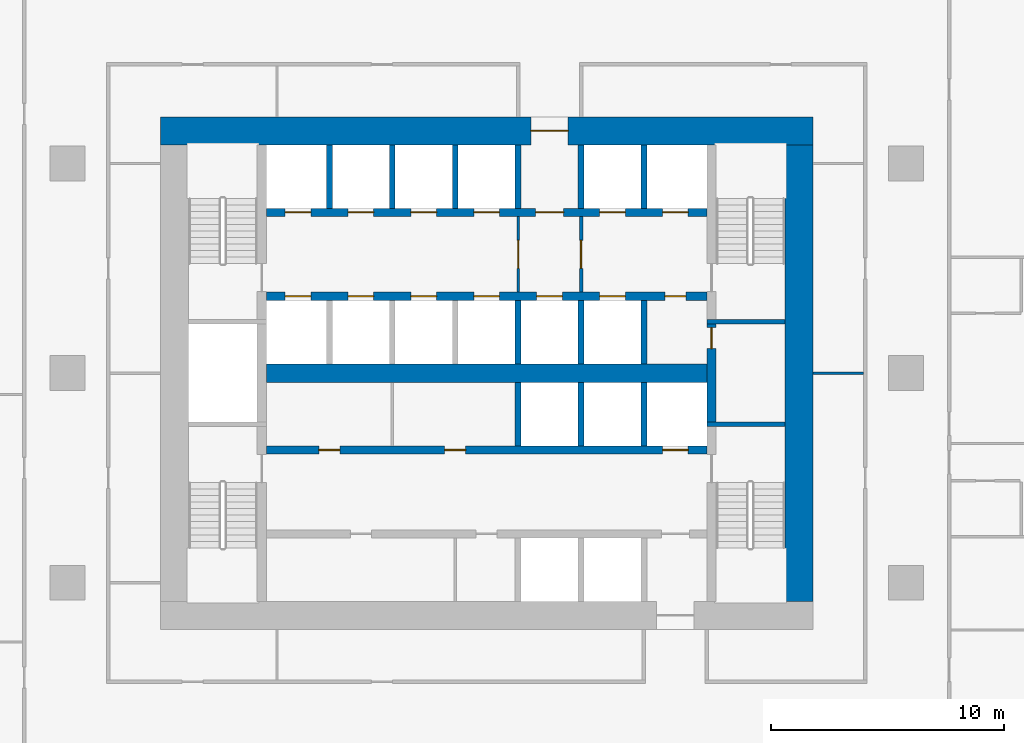
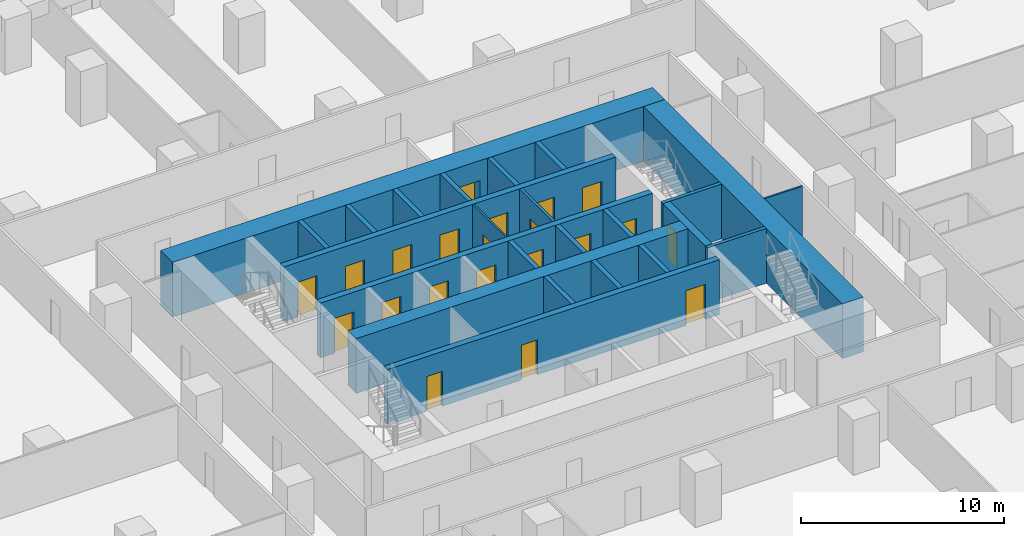
# One storey, part 15 of 24: 24 walls, 21 doors, 21 openings.
"""IFC4 building model written with IfcOpenShell, lengths in metres."""

from ifc_helpers import new_model, si_unit, direction, frame, frame_2d, origin, place, context, subcontext, project, spatial, rectangle, extrude, material, layer, layer_set, type_object, element, fill, save


model = new_model("IFC4")

# Units and contexts
model_context = context("Model", 3, precision=1e-05, world=origin(), true_north=direction((0.0, 1.0)))
body_context = subcontext(model_context, "Body", "Model", "MODEL_VIEW")
ifc_project = project(units=[si_unit("LENGTHUNIT", "METRE"), si_unit("AREAUNIT", "SQUARE_METRE"), si_unit("VOLUMEUNIT", "CUBIC_METRE"), si_unit("PLANEANGLEUNIT", "RADIAN"), si_unit("MASSUNIT", "GRAM", prefix="KILO")], contexts=[model_context])

# Site, building, storey
site_placement = place(None, origin())
site = spatial("IfcSite", under=ifc_project, at=site_placement, CompositionType="ELEMENT")
building_placement = place(site_placement, origin())
building = spatial("IfcBuilding", under=site, at=building_placement, Name="Dongbaek Canopy Tower", CompositionType="ELEMENT")
storey_placement = place(building_placement, frame((0.0, 0.0, 51.39990234375)))
storey = spatial("IfcBuildingStorey", under=building, at=storey_placement, Name="L08", CompositionType="ELEMENT", Elevation=51.39990234375)

# Wall
ifc_material_1 = material(Name="Concrete C60/75", Category="concrete")
ifc_layer_1 = layer(ifc_material_1, 0.800048828125)
ifc_layer_set_1 = layer_set([ifc_layer_1], Name="Core central wall 800 Concrete C60/75")
wall_type_1 = type_object("IfcWallType", Name="Core central wall 800 Concrete C60/75", PredefinedType="SHEAR", material=ifc_layer_set_1)
wall_1_placement = place(storey_placement, frame((-9.449951171875, 0.0, 0.0), z_axis=(0.0, 0.0, 1.0), x_axis=(1.0, 0.0, 0.0)))
element("IfcWall", 1, at=wall_1_placement, inside=storey, type_object=wall_type_1, Name="Core wall", PredefinedType="SHEAR", context=body_context, shape_type="SweptSolid", body=[
    extrude(rectangle(XDim=18.89990234375, YDim=0.800048828125, at=frame_2d((9.449951171875, 0.0))), origin(), (0.0, 0.0, 1.0), 3.300048828125),
])

# Wall, openings, doors
ifc_material_2 = material(Name="Concrete C60/75", Category="concrete")
ifc_layer_2 = layer(ifc_material_2, 0.35009765625)
ifc_layer_set_2 = layer_set([ifc_layer_2], Name="Core lobby wall 350 Concrete C60/75")
wall_type_2 = type_object("IfcWallType", Name="Core lobby wall 350 Concrete C60/75", PredefinedType="SHEAR", material=ifc_layer_set_2)
wall_2_placement = place(storey_placement, frame((-9.449951171875, 6.89990234375, 0.0), z_axis=(0.0, 0.0, 1.0), x_axis=(1.0, 0.0, 0.0)))
wall_2 = element("IfcWall", 2, at=wall_2_placement, inside=storey, type_object=wall_type_2, Name="Core wall", PredefinedType="SHEAR", context=body_context, shape_type="SweptSolid", body=[
    extrude(rectangle(XDim=18.89990234375, YDim=0.35009765625, at=frame_2d((9.449951171875, 0.0))), origin(), (0.0, 0.0, 1.0), 3.300048828125),
])
opening_1_placement = place(wall_2_placement, frame((0.800048828125, 0.0, 0.0)))
opening_1 = element("IfcOpeningElement", 3, at=opening_1_placement, cuts=wall_2, Name="Opening L08-D028", PredefinedType="OPENING", context=body_context, shape_type="SweptSolid", body=[
    extrude(rectangle(XDim=1.10009765625, YDim=2.10009765625, at=frame_2d((0.550048828125, 1.050048828125))), frame((0.0, 0.18505859375, 0.0), z_axis=(0.0, -1.0, 0.0), x_axis=(1.0, 0.0, 0.0)), (0.0, 0.0, 1.0), 0.3701171875),
])
opening_2_placement = place(wall_2_placement, frame((3.5, 0.0, 0.0)))
opening_2 = element("IfcOpeningElement", 4, at=opening_2_placement, cuts=wall_2, Name="Opening L08-D029", PredefinedType="OPENING", context=body_context, shape_type="SweptSolid", body=[
    extrude(rectangle(XDim=1.10009765625, YDim=2.10009765625, at=frame_2d((0.550048828125, 1.050048828125))), frame((0.0, 0.18505859375, 0.0), z_axis=(0.0, -1.0, 0.0), x_axis=(1.0, 0.0, 0.0)), (0.0, 0.0, 1.0), 0.3701171875),
])
opening_3_placement = place(wall_2_placement, frame((6.199951171875, 0.0, 0.0)))
opening_3 = element("IfcOpeningElement", 5, at=opening_3_placement, cuts=wall_2, Name="Opening L08-D030", PredefinedType="OPENING", context=body_context, shape_type="SweptSolid", body=[
    extrude(rectangle(XDim=1.10009765625, YDim=2.10009765625, at=frame_2d((0.550048828125, 1.050048828125))), frame((0.0, 0.18505859375, 0.0), z_axis=(0.0, -1.0, 0.0), x_axis=(1.0, 0.0, 0.0)), (0.0, 0.0, 1.0), 0.3701171875),
])
opening_4_placement = place(wall_2_placement, frame((8.89990234375, 0.0, 0.0)))
opening_4 = element("IfcOpeningElement", 6, at=opening_4_placement, cuts=wall_2, Name="Opening L08-D031", PredefinedType="OPENING", context=body_context, shape_type="SweptSolid", body=[
    extrude(rectangle(XDim=1.10009765625, YDim=2.10009765625, at=frame_2d((0.550048828125, 1.050048828125))), frame((0.0, 0.18505859375, 0.0), z_axis=(0.0, -1.0, 0.0), x_axis=(1.0, 0.0, 0.0)), (0.0, 0.0, 1.0), 0.3701171875),
])
opening_5_placement = place(wall_2_placement, frame((11.550048828125, 0.0, 0.0)))
opening_5 = element("IfcOpeningElement", 7, at=opening_5_placement, cuts=wall_2, Name="Opening L08-D033", PredefinedType="OPENING", context=body_context, shape_type="SweptSolid", body=[
    extrude(rectangle(XDim=1.199951171875, YDim=2.10009765625, at=frame_2d((0.60009765625, 1.050048828125))), frame((0.0, 0.18505859375, 0.0), z_axis=(0.0, -1.0, 0.0), x_axis=(1.0, 0.0, 0.0)), (0.0, 0.0, 1.0), 0.3701171875),
])
opening_6_placement = place(wall_2_placement, frame((14.300048828125, 0.0, 0.0)))
opening_6 = element("IfcOpeningElement", 8, at=opening_6_placement, cuts=wall_2, Name="Opening L08-D034", PredefinedType="OPENING", context=body_context, shape_type="SweptSolid", body=[
    extrude(rectangle(XDim=1.10009765625, YDim=2.10009765625, at=frame_2d((0.550048828125, 1.050048828125))), frame((0.0, 0.18505859375, 0.0), z_axis=(0.0, -1.0, 0.0), x_axis=(1.0, 0.0, 0.0)), (0.0, 0.0, 1.0), 0.3701171875),
])
opening_7_placement = place(wall_2_placement, frame((17.0, 0.0, 0.0)))
opening_7 = element("IfcOpeningElement", 9, at=opening_7_placement, cuts=wall_2, Name="Opening L08-D035", PredefinedType="OPENING", context=body_context, shape_type="SweptSolid", body=[
    extrude(rectangle(XDim=1.10009765625, YDim=2.10009765625, at=frame_2d((0.550048828125, 1.050048828125))), frame((0.0, 0.18505859375, 0.0), z_axis=(0.0, -1.0, 0.0), x_axis=(1.0, 0.0, 0.0)), (0.0, 0.0, 1.0), 0.3701171875),
])
ifc_material_3 = material(Name="Steel", Category="steel")
door_type_1 = type_object("IfcDoorType", Name="Fire lobby door 1200 x 2100", OperationType="SINGLE_SWING_LEFT", PredefinedType="DOOR", material=ifc_material_3)
door_1_placement = place(opening_5_placement, origin())
door_1 = element("IfcDoor", 10, at=door_1_placement, inside=storey, type_object=door_type_1, Name="Door L08-D033", OperationType="SINGLE_SWING_LEFT", OverallHeight=2.10009765625, OverallWidth=1.199951171875, PredefinedType="DOOR", context=body_context, shape_type="SweptSolid", body=[
    extrude(rectangle(XDim=1.199951171875, YDim=2.10009765625, at=frame_2d((0.60009765625, 1.050048828125))), frame((0.0, 0.02490234375, 0.0), z_axis=(0.0, -1.0, 0.0), x_axis=(1.0, 0.0, 0.0)), (0.0, 0.0, 1.0), 0.050048828125),
])
fill(opening_5, door_1)
ifc_material_4 = material(Name="Stainless steel", Category="steel")
door_type_2 = type_object("IfcDoorType", Name="Lift landing door 1100 x 2100", OperationType="DOUBLE_DOOR_SLIDING", PredefinedType="DOOR", material=ifc_material_4)
door_2_placement = place(opening_1_placement, origin())
door_2 = element("IfcDoor", 11, at=door_2_placement, inside=storey, type_object=door_type_2, Name="Landing door LR1", OperationType="DOUBLE_DOOR_SLIDING", OverallHeight=2.10009765625, OverallWidth=1.10009765625, PredefinedType="DOOR", context=body_context, shape_type="SweptSolid", body=[
    extrude(rectangle(XDim=1.10009765625, YDim=2.10009765625, at=frame_2d((0.550048828125, 1.050048828125))), frame((0.0, 0.02490234375, 0.0), z_axis=(0.0, -1.0, 0.0), x_axis=(1.0, 0.0, 0.0)), (0.0, 0.0, 1.0), 0.050048828125),
])
fill(opening_1, door_2)
door_3_placement = place(opening_2_placement, origin())
door_3 = element("IfcDoor", 12, at=door_3_placement, inside=storey, type_object=door_type_2, Name="Landing door LR2", OperationType="DOUBLE_DOOR_SLIDING", OverallHeight=2.10009765625, OverallWidth=1.10009765625, PredefinedType="DOOR", context=body_context, shape_type="SweptSolid", body=[
    extrude(rectangle(XDim=1.10009765625, YDim=2.10009765625, at=frame_2d((0.550048828125, 1.050048828125))), frame((0.0, 0.02490234375, 0.0), z_axis=(0.0, -1.0, 0.0), x_axis=(1.0, 0.0, 0.0)), (0.0, 0.0, 1.0), 0.050048828125),
])
fill(opening_2, door_3)
door_4_placement = place(opening_3_placement, origin())
door_4 = element("IfcDoor", 13, at=door_4_placement, inside=storey, type_object=door_type_2, Name="Landing door LR3", OperationType="DOUBLE_DOOR_SLIDING", OverallHeight=2.10009765625, OverallWidth=1.10009765625, PredefinedType="DOOR", context=body_context, shape_type="SweptSolid", body=[
    extrude(rectangle(XDim=1.10009765625, YDim=2.10009765625, at=frame_2d((0.550048828125, 1.050048828125))), frame((0.0, 0.02490234375, 0.0), z_axis=(0.0, -1.0, 0.0), x_axis=(1.0, 0.0, 0.0)), (0.0, 0.0, 1.0), 0.050048828125),
])
fill(opening_3, door_4)
door_5_placement = place(opening_4_placement, origin())
door_5 = element("IfcDoor", 14, at=door_5_placement, inside=storey, type_object=door_type_2, Name="Landing door LR4", OperationType="DOUBLE_DOOR_SLIDING", OverallHeight=2.10009765625, OverallWidth=1.10009765625, PredefinedType="DOOR", context=body_context, shape_type="SweptSolid", body=[
    extrude(rectangle(XDim=1.10009765625, YDim=2.10009765625, at=frame_2d((0.550048828125, 1.050048828125))), frame((0.0, 0.02490234375, 0.0), z_axis=(0.0, -1.0, 0.0), x_axis=(1.0, 0.0, 0.0)), (0.0, 0.0, 1.0), 0.050048828125),
])
fill(opening_4, door_5)
door_6_placement = place(opening_6_placement, origin())
door_6 = element("IfcDoor", 15, at=door_6_placement, inside=storey, type_object=door_type_2, Name="Landing door FF1", OperationType="DOUBLE_DOOR_SLIDING", OverallHeight=2.10009765625, OverallWidth=1.10009765625, PredefinedType="DOOR", context=body_context, shape_type="SweptSolid", body=[
    extrude(rectangle(XDim=1.10009765625, YDim=2.10009765625, at=frame_2d((0.550048828125, 1.050048828125))), frame((0.0, 0.02490234375, 0.0), z_axis=(0.0, -1.0, 0.0), x_axis=(1.0, 0.0, 0.0)), (0.0, 0.0, 1.0), 0.050048828125),
])
fill(opening_6, door_6)
door_7_placement = place(opening_7_placement, origin())
door_7 = element("IfcDoor", 16, at=door_7_placement, inside=storey, type_object=door_type_2, Name="Landing door FF2", OperationType="DOUBLE_DOOR_SLIDING", OverallHeight=2.10009765625, OverallWidth=1.10009765625, PredefinedType="DOOR", context=body_context, shape_type="SweptSolid", body=[
    extrude(rectangle(XDim=1.10009765625, YDim=2.10009765625, at=frame_2d((0.550048828125, 1.050048828125))), frame((0.0, 0.02490234375, 0.0), z_axis=(0.0, -1.0, 0.0), x_axis=(1.0, 0.0, 0.0)), (0.0, 0.0, 1.0), 0.050048828125),
])
fill(opening_7, door_7)

wall_3_placement = place(storey_placement, frame((9.449951171875, 3.300048828125, 0.0), z_axis=(0.0, 0.0, 1.0), x_axis=(-1.0, 0.0, 0.0)))
wall_3 = element("IfcWall", 17, at=wall_3_placement, inside=storey, type_object=wall_type_2, Name="Core wall", PredefinedType="SHEAR", context=body_context, shape_type="SweptSolid", body=[
    extrude(rectangle(XDim=18.89990234375, YDim=0.35009765625, at=frame_2d((9.449951171875, 0.0))), origin(), (0.0, 0.0, 1.0), 3.300048828125),
])
opening_8_placement = place(wall_3_placement, frame((17.0, 0.0, 0.0)))
opening_8 = element("IfcOpeningElement", 18, at=opening_8_placement, cuts=wall_3, Name="Opening L08-D036", PredefinedType="OPENING", context=body_context, shape_type="SweptSolid", body=[
    extrude(rectangle(XDim=1.10009765625, YDim=2.10009765625, at=frame_2d((0.550048828125, 1.050048828125))), frame((0.0, 0.18505859375, 0.0), z_axis=(0.0, -1.0, 0.0), x_axis=(1.0, 0.0, 0.0)), (0.0, 0.0, 1.0), 0.3701171875),
])
opening_9_placement = place(wall_3_placement, frame((14.300048828125, 0.0, 0.0)))
opening_9 = element("IfcOpeningElement", 19, at=opening_9_placement, cuts=wall_3, Name="Opening L08-D037", PredefinedType="OPENING", context=body_context, shape_type="SweptSolid", body=[
    extrude(rectangle(XDim=1.10009765625, YDim=2.10009765625, at=frame_2d((0.550048828125, 1.050048828125))), frame((0.0, 0.18505859375, 0.0), z_axis=(0.0, -1.0, 0.0), x_axis=(1.0, 0.0, 0.0)), (0.0, 0.0, 1.0), 0.3701171875),
])
opening_10_placement = place(wall_3_placement, frame((11.60009765625, 0.0, 0.0)))
opening_10 = element("IfcOpeningElement", 20, at=opening_10_placement, cuts=wall_3, Name="Opening L08-D038", PredefinedType="OPENING", context=body_context, shape_type="SweptSolid", body=[
    extrude(rectangle(XDim=1.10009765625, YDim=2.10009765625, at=frame_2d((0.550048828125, 1.050048828125))), frame((0.0, 0.18505859375, 0.0), z_axis=(0.0, -1.0, 0.0), x_axis=(1.0, 0.0, 0.0)), (0.0, 0.0, 1.0), 0.3701171875),
])
opening_11_placement = place(wall_3_placement, frame((8.89990234375, 0.0, 0.0)))
opening_11 = element("IfcOpeningElement", 21, at=opening_11_placement, cuts=wall_3, Name="Opening L08-D039", PredefinedType="OPENING", context=body_context, shape_type="SweptSolid", body=[
    extrude(rectangle(XDim=1.10009765625, YDim=2.10009765625, at=frame_2d((0.550048828125, 1.050048828125))), frame((0.0, 0.18505859375, 0.0), z_axis=(0.0, -1.0, 0.0), x_axis=(1.0, 0.0, 0.0)), (0.0, 0.0, 1.0), 0.3701171875),
])
opening_12_placement = place(wall_3_placement, frame((6.199951171875, 0.0, 0.0)))
opening_12 = element("IfcOpeningElement", 22, at=opening_12_placement, cuts=wall_3, Name="Opening L08-D040", PredefinedType="OPENING", context=body_context, shape_type="SweptSolid", body=[
    extrude(rectangle(XDim=1.10009765625, YDim=2.10009765625, at=frame_2d((0.550048828125, 1.050048828125))), frame((0.0, 0.18505859375, 0.0), z_axis=(0.0, -1.0, 0.0), x_axis=(1.0, 0.0, 0.0)), (0.0, 0.0, 1.0), 0.3701171875),
])
opening_13_placement = place(wall_3_placement, frame((3.5, 0.0, 0.0)))
opening_13 = element("IfcOpeningElement", 23, at=opening_13_placement, cuts=wall_3, Name="Opening L08-D041", PredefinedType="OPENING", context=body_context, shape_type="SweptSolid", body=[
    extrude(rectangle(XDim=1.10009765625, YDim=2.10009765625, at=frame_2d((0.550048828125, 1.050048828125))), frame((0.0, 0.18505859375, 0.0), z_axis=(0.0, -1.0, 0.0), x_axis=(1.0, 0.0, 0.0)), (0.0, 0.0, 1.0), 0.3701171875),
])
opening_14_placement = place(wall_3_placement, frame((0.89990234375, 0.0, 0.0)))
opening_14 = element("IfcOpeningElement", 24, at=opening_14_placement, cuts=wall_3, Name="Opening L08-D042", PredefinedType="OPENING", context=body_context, shape_type="SweptSolid", body=[
    extrude(rectangle(XDim=0.89990234375, YDim=2.10009765625, at=frame_2d((0.449951171875, 1.050048828125))), frame((0.0, 0.18505859375, 0.0), z_axis=(0.0, -1.0, 0.0), x_axis=(1.0, 0.0, 0.0)), (0.0, 0.0, 1.0), 0.3701171875),
])
ifc_material_5 = material(Name="Steel", Category="steel")
door_type_3 = type_object("IfcDoorType", Name="Core room door 900 x 2100", OperationType="SINGLE_SWING_LEFT", PredefinedType="DOOR", material=ifc_material_5)
door_8_placement = place(opening_14_placement, origin())
door_8 = element("IfcDoor", 25, at=door_8_placement, inside=storey, type_object=door_type_3, Name="Door L08-D042", OperationType="SINGLE_SWING_LEFT", OverallHeight=2.10009765625, OverallWidth=0.89990234375, PredefinedType="DOOR", context=body_context, shape_type="SweptSolid", body=[
    extrude(rectangle(XDim=0.89990234375, YDim=2.10009765625, at=frame_2d((0.449951171875, 1.050048828125))), frame((0.0, 0.02490234375, 0.0), z_axis=(0.0, -1.0, 0.0), x_axis=(1.0, 0.0, 0.0)), (0.0, 0.0, 1.0), 0.050048828125),
])
fill(opening_14, door_8)
door_9_placement = place(opening_8_placement, origin())
door_9 = element("IfcDoor", 26, at=door_9_placement, inside=storey, type_object=door_type_2, Name="Landing door LR5", OperationType="DOUBLE_DOOR_SLIDING", OverallHeight=2.10009765625, OverallWidth=1.10009765625, PredefinedType="DOOR", context=body_context, shape_type="SweptSolid", body=[
    extrude(rectangle(XDim=1.10009765625, YDim=2.10009765625, at=frame_2d((0.550048828125, 1.050048828125))), frame((0.0, 0.02490234375, 0.0), z_axis=(0.0, -1.0, 0.0), x_axis=(1.0, 0.0, 0.0)), (0.0, 0.0, 1.0), 0.050048828125),
])
fill(opening_8, door_9)
door_10_placement = place(opening_9_placement, origin())
door_10 = element("IfcDoor", 27, at=door_10_placement, inside=storey, type_object=door_type_2, Name="Landing door LR6", OperationType="DOUBLE_DOOR_SLIDING", OverallHeight=2.10009765625, OverallWidth=1.10009765625, PredefinedType="DOOR", context=body_context, shape_type="SweptSolid", body=[
    extrude(rectangle(XDim=1.10009765625, YDim=2.10009765625, at=frame_2d((0.550048828125, 1.050048828125))), frame((0.0, 0.02490234375, 0.0), z_axis=(0.0, -1.0, 0.0), x_axis=(1.0, 0.0, 0.0)), (0.0, 0.0, 1.0), 0.050048828125),
])
fill(opening_9, door_10)
door_11_placement = place(opening_10_placement, origin())
door_11 = element("IfcDoor", 28, at=door_11_placement, inside=storey, type_object=door_type_2, Name="Landing door LR7", OperationType="DOUBLE_DOOR_SLIDING", OverallHeight=2.10009765625, OverallWidth=1.10009765625, PredefinedType="DOOR", context=body_context, shape_type="SweptSolid", body=[
    extrude(rectangle(XDim=1.10009765625, YDim=2.10009765625, at=frame_2d((0.550048828125, 1.050048828125))), frame((0.0, 0.02490234375, 0.0), z_axis=(0.0, -1.0, 0.0), x_axis=(1.0, 0.0, 0.0)), (0.0, 0.0, 1.0), 0.050048828125),
])
fill(opening_10, door_11)
door_12_placement = place(opening_11_placement, origin())
door_12 = element("IfcDoor", 29, at=door_12_placement, inside=storey, type_object=door_type_2, Name="Landing door LR8", OperationType="DOUBLE_DOOR_SLIDING", OverallHeight=2.10009765625, OverallWidth=1.10009765625, PredefinedType="DOOR", context=body_context, shape_type="SweptSolid", body=[
    extrude(rectangle(XDim=1.10009765625, YDim=2.10009765625, at=frame_2d((0.550048828125, 1.050048828125))), frame((0.0, 0.02490234375, 0.0), z_axis=(0.0, -1.0, 0.0), x_axis=(1.0, 0.0, 0.0)), (0.0, 0.0, 1.0), 0.050048828125),
])
fill(opening_11, door_12)
door_13_placement = place(opening_12_placement, origin())
door_13 = element("IfcDoor", 30, at=door_13_placement, inside=storey, type_object=door_type_2, Name="Landing door SV1", OperationType="DOUBLE_DOOR_SLIDING", OverallHeight=2.10009765625, OverallWidth=1.10009765625, PredefinedType="DOOR", context=body_context, shape_type="SweptSolid", body=[
    extrude(rectangle(XDim=1.10009765625, YDim=2.10009765625, at=frame_2d((0.550048828125, 1.050048828125))), frame((0.0, 0.02490234375, 0.0), z_axis=(0.0, -1.0, 0.0), x_axis=(1.0, 0.0, 0.0)), (0.0, 0.0, 1.0), 0.050048828125),
])
fill(opening_12, door_13)
door_14_placement = place(opening_13_placement, origin())
door_14 = element("IfcDoor", 31, at=door_14_placement, inside=storey, type_object=door_type_2, Name="Landing door FF3", OperationType="DOUBLE_DOOR_SLIDING", OverallHeight=2.10009765625, OverallWidth=1.10009765625, PredefinedType="DOOR", context=body_context, shape_type="SweptSolid", body=[
    extrude(rectangle(XDim=1.10009765625, YDim=2.10009765625, at=frame_2d((0.550048828125, 1.050048828125))), frame((0.0, 0.02490234375, 0.0), z_axis=(0.0, -1.0, 0.0), x_axis=(1.0, 0.0, 0.0)), (0.0, 0.0, 1.0), 0.050048828125),
])
fill(opening_13, door_14)

wall_4_placement = place(storey_placement, frame((-9.449951171875, -3.300048828125, 0.0), z_axis=(0.0, 0.0, 1.0), x_axis=(1.0, 0.0, 0.0)))
wall_4 = element("IfcWall", 32, at=wall_4_placement, inside=storey, type_object=wall_type_2, Name="Core wall", PredefinedType="SHEAR", context=body_context, shape_type="SweptSolid", body=[
    extrude(rectangle(XDim=18.89990234375, YDim=0.35009765625, at=frame_2d((9.449951171875, 0.0))), origin(), (0.0, 0.0, 1.0), 3.300048828125),
])
opening_15_placement = place(wall_4_placement, frame((17.0, 0.0, 0.0)))
opening_15 = element("IfcOpeningElement", 33, at=opening_15_placement, cuts=wall_4, Name="Opening L08-D043", PredefinedType="OPENING", context=body_context, shape_type="SweptSolid", body=[
    extrude(rectangle(XDim=1.10009765625, YDim=2.10009765625, at=frame_2d((0.550048828125, 1.050048828125))), frame((0.0, 0.18505859375, 0.0), z_axis=(0.0, -1.0, 0.0), x_axis=(1.0, 0.0, 0.0)), (0.0, 0.0, 1.0), 0.3701171875),
])
opening_16_placement = place(wall_4_placement, frame((2.25, 0.0, 0.0)))
opening_16 = element("IfcOpeningElement", 34, at=opening_16_placement, cuts=wall_4, Name="Opening L08-D046", PredefinedType="OPENING", context=body_context, shape_type="SweptSolid", body=[
    extrude(rectangle(XDim=0.89990234375, YDim=2.10009765625, at=frame_2d((0.449951171875, 1.050048828125))), frame((0.0, 0.18505859375, 0.0), z_axis=(0.0, -1.0, 0.0), x_axis=(1.0, 0.0, 0.0)), (0.0, 0.0, 1.0), 0.3701171875),
])
opening_17_placement = place(wall_4_placement, frame((7.64990234375, 0.0, 0.0)))
opening_17 = element("IfcOpeningElement", 35, at=opening_17_placement, cuts=wall_4, Name="Opening L08-D047", PredefinedType="OPENING", context=body_context, shape_type="SweptSolid", body=[
    extrude(rectangle(XDim=0.89990234375, YDim=2.10009765625, at=frame_2d((0.449951171875, 1.050048828125))), frame((0.0, 0.18505859375, 0.0), z_axis=(0.0, -1.0, 0.0), x_axis=(1.0, 0.0, 0.0)), (0.0, 0.0, 1.0), 0.3701171875),
])
door_15_placement = place(opening_16_placement, origin())
door_15 = element("IfcDoor", 36, at=door_15_placement, inside=storey, type_object=door_type_3, Name="Door L08-D046", OperationType="SINGLE_SWING_RIGHT", OverallHeight=2.10009765625, OverallWidth=0.89990234375, PredefinedType="DOOR", context=body_context, shape_type="SweptSolid", body=[
    extrude(rectangle(XDim=0.89990234375, YDim=2.10009765625, at=frame_2d((0.449951171875, 1.050048828125))), frame((0.0, 0.02490234375, 0.0), z_axis=(0.0, -1.0, 0.0), x_axis=(1.0, 0.0, 0.0)), (0.0, 0.0, 1.0), 0.050048828125),
])
fill(opening_16, door_15)
door_16_placement = place(opening_17_placement, origin())
door_16 = element("IfcDoor", 37, at=door_16_placement, inside=storey, type_object=door_type_3, Name="Door L08-D047", OperationType="SINGLE_SWING_LEFT", OverallHeight=2.10009765625, OverallWidth=0.89990234375, PredefinedType="DOOR", context=body_context, shape_type="SweptSolid", body=[
    extrude(rectangle(XDim=0.89990234375, YDim=2.10009765625, at=frame_2d((0.449951171875, 1.050048828125))), frame((0.0, 0.02490234375, 0.0), z_axis=(0.0, -1.0, 0.0), x_axis=(1.0, 0.0, 0.0)), (0.0, 0.0, 1.0), 0.050048828125),
])
fill(opening_17, door_16)
door_17_placement = place(opening_15_placement, origin())
door_17 = element("IfcDoor", 38, at=door_17_placement, inside=storey, type_object=door_type_2, Name="Landing door SV2", OperationType="DOUBLE_DOOR_SLIDING", OverallHeight=2.10009765625, OverallWidth=1.10009765625, PredefinedType="DOOR", context=body_context, shape_type="SweptSolid", body=[
    extrude(rectangle(XDim=1.10009765625, YDim=2.10009765625, at=frame_2d((0.550048828125, 1.050048828125))), frame((0.0, 0.02490234375, 0.0), z_axis=(0.0, -1.0, 0.0), x_axis=(1.0, 0.0, 0.0)), (0.0, 0.0, 1.0), 0.050048828125),
])
fill(opening_15, door_17)

# Wall, opening, door
ifc_material_6 = material(Name="Concrete C60/75", Category="concrete")
ifc_layer_3 = layer(ifc_material_6, 1.199951171875)
ifc_layer_set_3 = layer_set([ifc_layer_3], Name="Core outer wall 1200 Concrete C60/75")
wall_type_3 = type_object("IfcWallType", Name="Core outer wall 1200 Concrete C60/75", PredefinedType="SHEAR", material=ifc_layer_set_3)
wall_5_placement = place(storey_placement, frame((-14.0, 10.39990234375, 0.0), z_axis=(0.0, 0.0, 1.0), x_axis=(1.0, 0.0, 0.0)))
wall_5 = element("IfcWall", 39, at=wall_5_placement, inside=storey, type_object=wall_type_3, Name="Core wall", PredefinedType="SHEAR", context=body_context, shape_type="SweptSolid", body=[
    extrude(rectangle(XDim=28.0, YDim=1.199951171875, at=frame_2d((14.0, 0.0))), origin(), (0.0, 0.0, 1.0), 3.300048828125),
])
opening_18_placement = place(wall_5_placement, frame((15.89990234375, 0.0, 0.0)))
opening_18 = element("IfcOpeningElement", 40, at=opening_18_placement, cuts=wall_5, Name="Opening L08-D032", PredefinedType="OPENING", context=body_context, shape_type="SweptSolid", body=[
    extrude(rectangle(XDim=1.60009765625, YDim=2.10009765625, at=frame_2d((0.800048828125, 1.050048828125))), frame((0.0, 0.60986328125, 0.0), z_axis=(0.0, -1.0, 0.0), x_axis=(1.0, 0.0, 0.0)), (0.0, 0.0, 1.0), 1.219970703125),
])
ifc_material_7 = material(Name="Steel", Category="steel")
door_type_4 = type_object("IfcDoorType", Name="Core exit door 1600 x 2100", OperationType="DOUBLE_DOOR_SINGLE_SWING", PredefinedType="DOOR", material=ifc_material_7)
door_18_placement = place(opening_18_placement, origin())
door_18 = element("IfcDoor", 41, at=door_18_placement, inside=storey, type_object=door_type_4, Name="Core exit door", OperationType="DOUBLE_DOOR_SINGLE_SWING", OverallHeight=2.10009765625, OverallWidth=1.60009765625, PredefinedType="DOOR", context=body_context, shape_type="SweptSolid", body=[
    extrude(rectangle(XDim=1.60009765625, YDim=2.10009765625, at=frame_2d((0.800048828125, 1.050048828125))), frame((0.0, 0.02490234375, 0.0), z_axis=(0.0, -1.0, 0.0), x_axis=(1.0, 0.0, 0.0)), (0.0, 0.0, 1.0), 0.050048828125),
])
fill(opening_18, door_18)

# Wall
wall_6_placement = place(storey_placement, frame((13.39990234375, 9.800048828125, 0.0), z_axis=(0.0, 0.0, 1.0), x_axis=(0.0, -1.0, 0.0)))
element("IfcWall", 42, at=wall_6_placement, inside=storey, type_object=wall_type_3, Name="Core wall", PredefinedType="SHEAR", context=body_context, shape_type="SweptSolid", body=[
    extrude(rectangle(XDim=19.60009765625, YDim=1.199951171875, at=frame_2d((9.800048828125, 0.0))), origin(), (0.0, 0.0, 1.0), 3.300048828125),
])

# Wall, opening, door
ifc_material_8 = material(Name="Gypsum board partition, steel stud, 2 x 15 mm fire board", Category="steel")
ifc_layer_4 = layer(ifc_material_8, 0.14990234375)
ifc_layer_set_4 = layer_set([ifc_layer_4], Name="Fire-rated partition 150 gypsum board")
wall_type_4 = type_object("IfcWallType", Name="Fire-rated partition 150 gypsum board", PredefinedType="PARTITIONING", material=ifc_layer_set_4)
wall_7_placement = place(storey_placement, frame((4.050048828125, 6.72509765625, 0.0), z_axis=(0.0, 0.0, 1.0), x_axis=(0.0, -1.0, 0.0)))
wall_7 = element("IfcWall", 43, at=wall_7_placement, inside=storey, type_object=wall_type_4, Name="Fire lobby partition", PredefinedType="PARTITIONING", context=body_context, shape_type="SweptSolid", body=[
    extrude(rectangle(XDim=3.25, YDim=0.14990234375, at=frame_2d((1.625, 0.0))), origin(), (0.0, 0.0, 1.0), 3.300048828125),
])
opening_19_placement = place(wall_7_placement, frame((1.02490234375, 0.0, 0.0)))
opening_19 = element("IfcOpeningElement", 44, at=opening_19_placement, cuts=wall_7, Name="Opening L08-D055", PredefinedType="OPENING", context=body_context, shape_type="SweptSolid", body=[
    extrude(rectangle(XDim=1.199951171875, YDim=2.10009765625, at=frame_2d((0.60009765625, 1.050048828125))), frame((0.0, 0.0849609375, 0.0), z_axis=(0.0, -1.0, 0.0), x_axis=(1.0, 0.0, 0.0)), (0.0, 0.0, 1.0), 0.169921875),
])
door_19_placement = place(opening_19_placement, origin())
door_19 = element("IfcDoor", 45, at=door_19_placement, inside=storey, type_object=door_type_1, Name="Door L08-D055", OperationType="SINGLE_SWING_RIGHT", OverallHeight=2.10009765625, OverallWidth=1.199951171875, PredefinedType="DOOR", context=body_context, shape_type="SweptSolid", body=[
    extrude(rectangle(XDim=1.199951171875, YDim=2.10009765625, at=frame_2d((0.60009765625, 1.050048828125))), frame((0.0, 0.02490234375, 0.0), z_axis=(0.0, -1.0, 0.0), x_axis=(1.0, 0.0, 0.0)), (0.0, 0.0, 1.0), 0.050048828125),
])
fill(opening_19, door_19)

# Walls
ifc_material_9 = material(Name="Concrete C40/50", Category="concrete")
ifc_layer_5 = layer(ifc_material_9, 0.25)
ifc_layer_set_5 = layer_set([ifc_layer_5], Name="Lift shaft wall 250 Concrete C40/50")
wall_type_5 = type_object("IfcWallType", Name="Lift shaft wall 250 Concrete C40/50", PredefinedType="SOLIDWALL", material=ifc_layer_set_5)
for number, where, z_axis, x_axis, name in (
    (46, (6.75, -3.125, 0.0), (0.0, 0.0, 1.0), (0.0, 1.0, 0.0), "Lift shaft wall"),
    (47, (6.75, 0.39990234375, 0.0), (0.0, 0.0, 1.0), (0.0, 1.0, 0.0), "Lift shaft wall"),
    (48, (6.75, 7.074951171875, 0.0), (0.0, 0.0, 1.0), (0.0, 1.0, 0.0), "Lift shaft wall"),
    (49, (4.050048828125, -3.125, 0.0), (0.0, 0.0, 1.0), (0.0, 1.0, 0.0), "Lift shaft wall"),
    (50, (4.050048828125, 0.39990234375, 0.0), (0.0, 0.0, 1.0), (0.0, 1.0, 0.0), "Lift shaft wall"),
    (51, (4.050048828125, 7.074951171875, 0.0), (0.0, 0.0, 1.0), (0.0, 1.0, 0.0), "Lift shaft wall"),
    (52, (1.35009765625, -3.125, 0.0), (0.0, 0.0, 1.0), (0.0, 1.0, 0.0), "Lift shaft wall"),
    (53, (1.35009765625, 0.39990234375, 0.0), (0.0, 0.0, 1.0), (0.0, 1.0, 0.0), "Lift shaft wall"),
    (54, (1.35009765625, 7.074951171875, 0.0), (0.0, 0.0, 1.0), (0.0, 1.0, 0.0), "Lift shaft wall"),
    (55, (-1.35009765625, 7.074951171875, 0.0), (0.0, 0.0, 1.0), (0.0, 1.0, 0.0), "Lift shaft wall"),
    (56, (-4.050048828125, 7.074951171875, 0.0), (0.0, 0.0, 1.0), (0.0, 1.0, 0.0), "Lift shaft wall"),
    (57, (-6.75, 7.074951171875, 0.0), (0.0, 0.0, 1.0), (0.0, 1.0, 0.0), "Lift shaft wall"),
):
    element("IfcWall", number, at=place(storey_placement, frame(where, z_axis=z_axis, x_axis=x_axis)), inside=storey, type_object=wall_type_5, Name=name, PredefinedType="SOLIDWALL", context=body_context, shape_type="SweptSolid", body=[
        extrude(rectangle(XDim=2.72509765625, YDim=0.25, at=frame_2d((1.362548828125, 0.0))), origin(), (0.0, 0.0, 1.0), 3.300048828125),
    ])
ifc_material_10 = material(Name="Gypsum board partition, steel stud, 2 x 12.5 mm board", Category="steel")
ifc_layer_6 = layer(ifc_material_10, 0.10009765625)
ifc_layer_set_6 = layer_set([ifc_layer_6], Name="Partition 100 gypsum board")
wall_type_6 = type_object("IfcWallType", Name="Partition 100 gypsum board", PredefinedType="PARTITIONING", material=ifc_layer_set_6)
wall_8_placement = place(storey_placement, frame((14.0, 0.0, 0.0), z_axis=(0.0, 0.0, 1.0), x_axis=(1.0, 0.0, 0.0)))
element("IfcWall", 58, at=wall_8_placement, inside=storey, type_object=wall_type_6, Name="Partition", PredefinedType="PARTITIONING", context=body_context, shape_type="SweptSolid", body=[
    extrude(rectangle(XDim=2.175048828125, YDim=0.10009765625, at=frame_2d((1.08740234375, 0.0))), origin(), (0.0, 0.0, 1.0), 3.300048828125),
])

# Wall, opening, door
wall_9_placement = place(storey_placement, frame((1.35009765625, 6.72509765625, 0.0), z_axis=(0.0, 0.0, 1.0), x_axis=(0.0, -1.0, 0.0)))
wall_9 = element("IfcWall", 59, at=wall_9_placement, inside=storey, type_object=wall_type_6, Name="Core partition", PredefinedType="PARTITIONING", context=body_context, shape_type="SweptSolid", body=[
    extrude(rectangle(XDim=3.25, YDim=0.10009765625, at=frame_2d((1.625, 0.0))), origin(), (0.0, 0.0, 1.0), 3.300048828125),
])
opening_20_placement = place(wall_9_placement, frame((1.02490234375, 0.0, 0.0)))
opening_20 = element("IfcOpeningElement", 60, at=opening_20_placement, cuts=wall_9, Name="Opening L08-D054", PredefinedType="OPENING", context=body_context, shape_type="SweptSolid", body=[
    extrude(rectangle(XDim=1.199951171875, YDim=2.10009765625, at=frame_2d((0.60009765625, 1.050048828125))), frame((0.0, 0.06005859375, 0.0), z_axis=(0.0, -1.0, 0.0), x_axis=(1.0, 0.0, 0.0)), (0.0, 0.0, 1.0), 0.1201171875),
])
door_20_placement = place(opening_20_placement, origin())
door_20 = element("IfcDoor", 61, at=door_20_placement, inside=storey, type_object=door_type_1, Name="Door L08-D054", OperationType="SINGLE_SWING_LEFT", OverallHeight=2.10009765625, OverallWidth=1.199951171875, PredefinedType="DOOR", context=body_context, shape_type="SweptSolid", body=[
    extrude(rectangle(XDim=1.199951171875, YDim=2.10009765625, at=frame_2d((0.60009765625, 1.050048828125))), frame((0.0, 0.02490234375, 0.0), z_axis=(0.0, -1.0, 0.0), x_axis=(1.0, 0.0, 0.0)), (0.0, 0.0, 1.0), 0.050048828125),
])
fill(opening_20, door_20)

# Walls
ifc_material_11 = material(Name="Concrete C60/75", Category="concrete")
ifc_layer_7 = layer(ifc_material_11, 0.199951171875)
ifc_layer_set_7 = layer_set([ifc_layer_7], Name="Riser wall 200 Concrete C60/75")
wall_type_7 = type_object("IfcWallType", Name="Riser wall 200 Concrete C60/75", PredefinedType="SHEAR", material=ifc_layer_set_7)
for number, where, z_axis, x_axis, name in (
    (62, (9.449951171875, 2.199951171875, 0.0), (0.0, 0.0, 1.0), (1.0, 0.0, 0.0), "Riser wall"),
    (63, (9.449951171875, -2.199951171875, 0.0), (0.0, 0.0, 1.0), (1.0, 0.0, 0.0), "Riser wall"),
):
    element("IfcWall", number, at=place(storey_placement, frame(where, z_axis=z_axis, x_axis=x_axis)), inside=storey, type_object=wall_type_7, Name=name, PredefinedType="SHEAR", context=body_context, shape_type="SweptSolid", body=[
        extrude(rectangle(XDim=3.35009765625, YDim=0.199951171875, at=frame_2d((1.675048828125, 0.0))), origin(), (0.0, 0.0, 1.0), 3.300048828125),
    ])

# Wall, opening, door
ifc_material_12 = material(Name="Concrete C60/75", Category="concrete")
ifc_layer_8 = layer(ifc_material_12, 0.39990234375)
ifc_layer_set_8 = layer_set([ifc_layer_8], Name="Stair wall 400 Concrete C60/75")
wall_type_8 = type_object("IfcWallType", Name="Stair wall 400 Concrete C60/75", PredefinedType="SHEAR", material=ifc_layer_set_8)
wall_10_placement = place(storey_placement, frame((9.64990234375, 2.10009765625, 0.0), z_axis=(0.0, 0.0, 1.0), x_axis=(0.0, -1.0, 0.0)))
wall_10 = element("IfcWall", 64, at=wall_10_placement, inside=storey, type_object=wall_type_8, Name="Stair wall", PredefinedType="SHEAR", context=body_context, shape_type="SweptSolid", body=[
    extrude(rectangle(XDim=4.2001953125, YDim=0.39990234375, at=frame_2d((2.10009765625, 0.0))), origin(), (0.0, 0.0, 1.0), 3.300048828125),
])
opening_21_placement = place(wall_10_placement, frame((0.14990234375, 0.0, 0.0)))
opening_21 = element("IfcOpeningElement", 65, at=opening_21_placement, cuts=wall_10, Name="Opening L08-D027", PredefinedType="OPENING", context=body_context, shape_type="SweptSolid", body=[
    extrude(rectangle(XDim=0.89990234375, YDim=2.10009765625, at=frame_2d((0.449951171875, 1.050048828125))), frame((0.0, 0.2099609375, 0.0), z_axis=(0.0, -1.0, 0.0), x_axis=(1.0, 0.0, 0.0)), (0.0, 0.0, 1.0), 0.419921875),
])
door_21_placement = place(opening_21_placement, origin())
door_21 = element("IfcDoor", 66, at=door_21_placement, inside=storey, type_object=door_type_3, Name="Door L08-D027", OperationType="SINGLE_SWING_RIGHT", OverallHeight=2.10009765625, OverallWidth=0.89990234375, PredefinedType="DOOR", context=body_context, shape_type="SweptSolid", body=[
    extrude(rectangle(XDim=0.89990234375, YDim=2.10009765625, at=frame_2d((0.449951171875, 1.050048828125))), frame((0.0, 0.02490234375, 0.0), z_axis=(0.0, -1.0, 0.0), x_axis=(1.0, 0.0, 0.0)), (0.0, 0.0, 1.0), 0.050048828125),
])
fill(opening_21, door_21)

save(model, "model.ifc")
